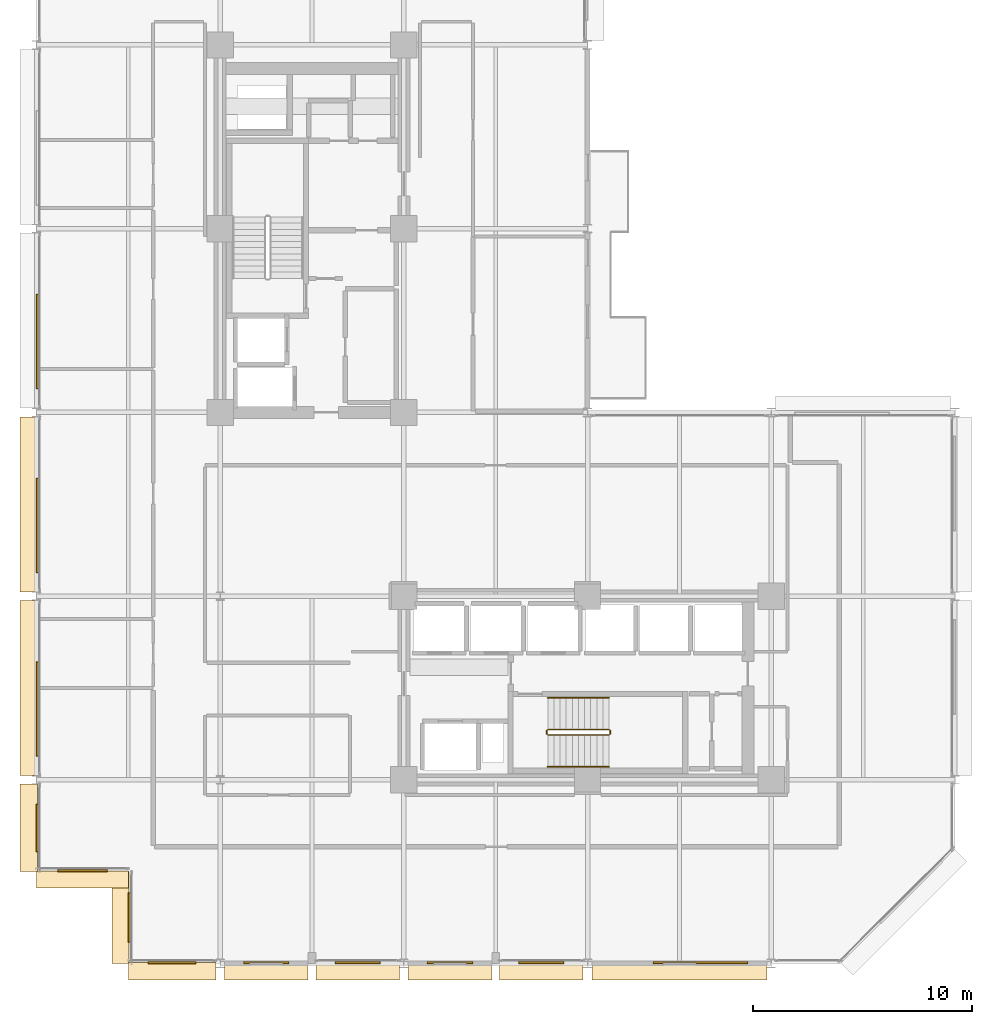
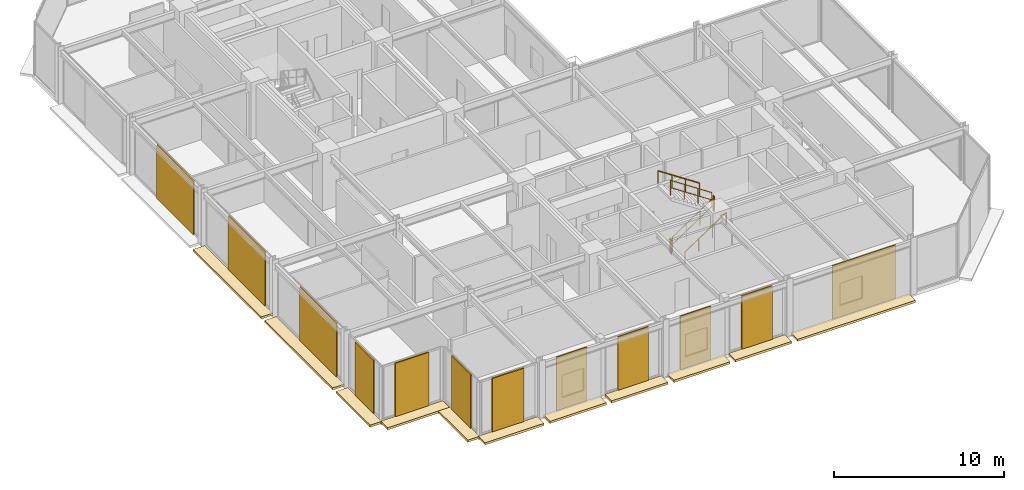
# One storey, part 27 of 30: 23 coverings, 6 railings.
"""IFC4 building model written with IfcOpenShell, lengths in metres."""

from ifc_helpers import new_model, si_unit, direction, frame, origin, origin_2d, place, context, subcontext, project, spatial, polyline, rectangle, circle, outline, extrude, material, layer, layer_set, type_object, element, save


model = new_model("IFC4")

# Units and contexts
model_context = context("Model", 3, precision=1e-05, world=origin(), true_north=direction((0.0, 1.0)))
body_context = subcontext(model_context, "Body", "Model", "MODEL_VIEW")
ifc_project = project(units=[si_unit("LENGTHUNIT", "METRE"), si_unit("AREAUNIT", "SQUARE_METRE"), si_unit("VOLUMEUNIT", "CUBIC_METRE"), si_unit("PLANEANGLEUNIT", "RADIAN"), si_unit("MASSUNIT", "GRAM", prefix="KILO")], contexts=[model_context])

# Site, building, storey
site_placement = place(None, origin())
site = spatial("IfcSite", under=ifc_project, at=site_placement, CompositionType="ELEMENT")
building_placement = place(site_placement, origin())
building = spatial("IfcBuilding", under=site, at=building_placement, Name="Nerrivon Quay Data Exchange", CompositionType="ELEMENT")
storey_placement = place(building_placement, frame((0.0, 0.0, 129.5)))
storey = spatial("IfcBuildingStorey", under=building, at=storey_placement, Name="L30", CompositionType="ELEMENT", Elevation=129.5)

# Coverings
ifc_material_1 = material(Name="Architectural terracotta ceramic", Category="masonry")
ifc_layer_1 = layer(ifc_material_1, 0.159912109375)
ifc_layer_set_1 = layer_set([ifc_layer_1], Name="Architectural terracotta ceramic")
covering_type_1 = type_object("IfcCoveringType", Name="COV-BLD-TERR", PredefinedType="CLADDING", material=ifc_layer_set_1)
covering_1_placement = place(storey_placement, frame((0.0, 0.0, -0.159912109375)))
element("IfcCovering", 1, at=covering_1_placement, inside=storey, type_object=covering_type_1, Name="L30 Horizontal Terracotta SOLAR SCREEN Blade", PredefinedType="CLADDING", context=body_context, shape_type="SweptSolid", body=[
    extrude(outline(polyline([(33.39990234375, 0.0400390625), (25.39990234375, 0.0400390625), (25.39990234375, -0.75), (33.39990234375, -0.75), (33.39990234375, 0.0400390625)])), origin(), (0.0, 0.0, 1.0), 0.159912109375),
])
covering_2_placement = place(storey_placement, frame((0.0, 0.0, -0.159912109375)))
element("IfcCovering", 2, at=covering_2_placement, inside=storey, type_object=covering_type_1, Name="L30 Horizontal Terracotta SOLAR SCREEN Blade", PredefinedType="CLADDING", context=body_context, shape_type="SweptSolid", body=[
    extrude(outline(polyline([(25.0, 0.0400390625), (21.175048828125, 0.0400390625), (21.175048828125, -0.75), (25.0, -0.75), (25.0, 0.0400390625)])), origin(), (0.0, 0.0, 1.0), 0.159912109375),
])
covering_3_placement = place(storey_placement, frame((0.0, 0.0, -0.159912109375)))
element("IfcCovering", 3, at=covering_3_placement, inside=storey, type_object=covering_type_1, Name="L30 Horizontal Terracotta SOLAR SCREEN Blade", PredefinedType="CLADDING", context=body_context, shape_type="SweptSolid", body=[
    extrude(outline(polyline([(20.824951171875, 0.0400390625), (17.0, 0.0400390625), (17.0, -0.75), (20.824951171875, -0.75), (20.824951171875, 0.0400390625)])), origin(), (0.0, 0.0, 1.0), 0.159912109375),
])
covering_4_placement = place(storey_placement, frame((0.0, 0.0, -0.159912109375)))
element("IfcCovering", 4, at=covering_4_placement, inside=storey, type_object=covering_type_1, Name="L30 Horizontal Terracotta SOLAR SCREEN Blade", PredefinedType="CLADDING", context=body_context, shape_type="SweptSolid", body=[
    extrude(outline(polyline([(16.60009765625, 0.0400390625), (12.77490234375, 0.0400390625), (12.77490234375, -0.75), (16.60009765625, -0.75), (16.60009765625, 0.0400390625)])), origin(), (0.0, 0.0, 1.0), 0.159912109375),
])
covering_5_placement = place(storey_placement, frame((0.0, 0.0, -0.159912109375)))
element("IfcCovering", 5, at=covering_5_placement, inside=storey, type_object=covering_type_1, Name="L30 Horizontal Terracotta SOLAR SCREEN Blade", PredefinedType="CLADDING", context=body_context, shape_type="SweptSolid", body=[
    extrude(outline(polyline([(12.425048828125, 0.0400390625), (8.60009765625, 0.0400390625), (8.60009765625, -0.75), (12.425048828125, -0.75), (12.425048828125, 0.0400390625)])), origin(), (0.0, 0.0, 1.0), 0.159912109375),
])
covering_6_placement = place(storey_placement, frame((0.0, 0.0, -0.159912109375)))
element("IfcCovering", 6, at=covering_6_placement, inside=storey, type_object=covering_type_1, Name="L30 Horizontal Terracotta SOLAR SCREEN Blade", PredefinedType="CLADDING", context=body_context, shape_type="SweptSolid", body=[
    extrude(outline(polyline([(8.199951171875, 0.0400390625), (4.199951171875, 0.0400390625), (4.199951171875, -0.75), (8.199951171875, -0.75), (8.199951171875, 0.0400390625)])), origin(), (0.0, 0.0, 1.0), 0.159912109375),
])
covering_7_placement = place(storey_placement, frame((0.0, 0.0, -0.159912109375)))
element("IfcCovering", 7, at=covering_7_placement, inside=storey, type_object=covering_type_1, Name="L30 Horizontal Terracotta SOLAR SCREEN Blade", PredefinedType="CLADDING", context=body_context, shape_type="SweptSolid", body=[
    extrude(outline(polyline([(4.239990234375, 0.0), (4.239990234375, 4.199951171875), (3.449951171875, 4.199951171875), (3.449951171875, 0.0), (4.239990234375, 0.0)])), origin(), (0.0, 0.0, 1.0), 0.159912109375),
])
covering_8_placement = place(storey_placement, frame((0.0, 0.0, -0.159912109375)))
element("IfcCovering", 8, at=covering_8_placement, inside=storey, type_object=covering_type_1, Name="L30 Horizontal Terracotta SOLAR SCREEN Blade", PredefinedType="CLADDING", context=body_context, shape_type="SweptSolid", body=[
    extrude(outline(polyline([(4.199951171875, 4.239990234375), (0.0, 4.239990234375), (0.0, 3.449951171875), (4.199951171875, 3.449951171875), (4.199951171875, 4.239990234375)])), origin(), (0.0, 0.0, 1.0), 0.159912109375),
])
covering_9_placement = place(storey_placement, frame((0.0, 0.0, -0.159912109375)))
element("IfcCovering", 9, at=covering_9_placement, inside=storey, type_object=covering_type_1, Name="L30 Horizontal Terracotta SOLAR SCREEN Blade", PredefinedType="CLADDING", context=body_context, shape_type="SweptSolid", body=[
    extrude(outline(polyline([(0.0400390625, 4.199951171875), (0.0400390625, 8.199951171875), (-0.75, 8.199951171875), (-0.75, 4.199951171875), (0.0400390625, 4.199951171875)])), origin(), (0.0, 0.0, 1.0), 0.159912109375),
])
covering_10_placement = place(storey_placement, frame((0.0, 0.0, -0.159912109375)))
element("IfcCovering", 10, at=covering_10_placement, inside=storey, type_object=covering_type_1, Name="L30 Horizontal Terracotta SOLAR SCREEN Blade", PredefinedType="CLADDING", context=body_context, shape_type="SweptSolid", body=[
    extrude(outline(polyline([(0.0400390625, 8.60009765625), (0.0400390625, 16.60009765625), (-0.75, 16.60009765625), (-0.75, 8.60009765625), (0.0400390625, 8.60009765625)])), origin(), (0.0, 0.0, 1.0), 0.159912109375),
])
covering_11_placement = place(storey_placement, frame((0.0, 0.0, -0.159912109375)))
element("IfcCovering", 11, at=covering_11_placement, inside=storey, type_object=covering_type_1, Name="L30 Horizontal Terracotta SOLAR SCREEN Blade", PredefinedType="CLADDING", context=body_context, shape_type="SweptSolid", body=[
    extrude(outline(polyline([(0.0400390625, 17.0), (0.0400390625, 25.0), (-0.75, 25.0), (-0.75, 17.0), (0.0400390625, 17.0)])), origin(), (0.0, 0.0, 1.0), 0.159912109375),
])
ifc_layer_2 = layer(ifc_material_1, 0.090087890625)
ifc_layer_set_2 = layer_set([ifc_layer_2], Name="Architectural terracotta ceramic")
covering_type_2 = type_object("IfcCoveringType", Name="COV-SCR-TERR", PredefinedType="CLADDING", material=ifc_layer_set_2)
covering_12_placement = place(storey_placement, frame((30.360107421875, 0.044921875, 0.0), z_axis=(0.0, 0.0, 1.0), x_axis=(-1.0, 0.0, 0.0)))
element("IfcCovering", 12, at=covering_12_placement, inside=storey, type_object=covering_type_2, Name="L30 Perforated Terracotta SOLAR SCREEN Cassette", PredefinedType="CLADDING", context=body_context, shape_type="SweptSolid", body=[
    extrude(rectangle(XDim=4.320068359375, YDim=0.090087890625, at=origin_2d()), origin(), (0.0, 0.0, 1.0), 3.824951171875),
])
for number, where, z_axis, x_axis, name in (
    (13, (23.08740234375, 0.044921875, 0.0), (0.0, 0.0, 1.0), (-1.0, 0.0, 0.0), "L30 Perforated Terracotta SOLAR SCREEN Cassette"),
    (14, (18.91259765625, 0.044921875, 0.0), (0.0, 0.0, 1.0), (-1.0, 0.0, 0.0), "L30 Perforated Terracotta SOLAR SCREEN Cassette"),
):
    element("IfcCovering", number, at=place(storey_placement, frame(where, z_axis=z_axis, x_axis=x_axis)), inside=storey, type_object=covering_type_2, Name=name, PredefinedType="CLADDING", context=body_context, shape_type="SweptSolid", body=[
        extrude(rectangle(XDim=2.06494140625, YDim=0.090087890625, at=origin_2d()), origin(), (0.0, 0.0, 1.0), 3.824951171875),
    ])
for number, where, z_axis, x_axis, name in (
    (15, (14.6875, 0.044921875, 0.0), (0.0, 0.0, 1.0), (-1.0, 0.0, 0.0), "L30 Perforated Terracotta SOLAR SCREEN Cassette"),
    (16, (10.512451171875, 0.044921875, 0.0), (0.0, 0.0, 1.0), (-1.0, 0.0, 0.0), "L30 Perforated Terracotta SOLAR SCREEN Cassette"),
):
    element("IfcCovering", number, at=place(storey_placement, frame(where, z_axis=z_axis, x_axis=x_axis)), inside=storey, type_object=covering_type_2, Name=name, PredefinedType="CLADDING", context=body_context, shape_type="SweptSolid", body=[
        extrude(rectangle(XDim=2.06591796875, YDim=0.090087890625, at=origin_2d()), origin(), (0.0, 0.0, 1.0), 3.824951171875),
    ])
covering_13_placement = place(storey_placement, frame((6.199951171875, 0.044921875, 0.0), z_axis=(0.0, 0.0, 1.0), x_axis=(-1.0, 0.0, 0.0)))
element("IfcCovering", 17, at=covering_13_placement, inside=storey, type_object=covering_type_2, Name="L30 Perforated Terracotta SOLAR SCREEN Cassette", PredefinedType="CLADDING", context=body_context, shape_type="SweptSolid", body=[
    extrude(rectangle(XDim=2.159912109375, YDim=0.090087890625, at=origin_2d()), origin(), (0.0, 0.0, 1.0), 3.824951171875),
])
for number, where, z_axis, x_axis, name in (
    (18, (4.2451171875, 2.10009765625, 0.0), (0.0, 0.0, 1.0), (0.0, 1.0, 0.0), "L30 Perforated Terracotta SOLAR SCREEN Cassette"),
    (19, (2.10009765625, 4.2451171875, 0.0), (0.0, 0.0, 1.0), (-1.0, 0.0, 0.0), "L30 Perforated Terracotta SOLAR SCREEN Cassette"),
):
    element("IfcCovering", number, at=place(storey_placement, frame(where, z_axis=z_axis, x_axis=x_axis)), inside=storey, type_object=covering_type_2, Name=name, PredefinedType="CLADDING", context=body_context, shape_type="SweptSolid", body=[
        extrude(rectangle(XDim=2.26806640625, YDim=0.090087890625, at=origin_2d()), origin(), (0.0, 0.0, 1.0), 3.824951171875),
    ])
covering_14_placement = place(storey_placement, frame((0.044921875, 6.199951171875, 0.0), z_axis=(0.0, 0.0, 1.0), x_axis=(0.0, 1.0, 0.0)))
element("IfcCovering", 20, at=covering_14_placement, inside=storey, type_object=covering_type_2, Name="L30 Perforated Terracotta SOLAR SCREEN Cassette", PredefinedType="CLADDING", context=body_context, shape_type="SweptSolid", body=[
    extrude(rectangle(XDim=2.159912109375, YDim=0.090087890625, at=origin_2d()), origin(), (0.0, 0.0, 1.0), 3.824951171875),
])
for number, where, z_axis, x_axis, name in (
    (21, (0.044921875, 11.639892578125, 0.0), (0.0, 0.0, 1.0), (0.0, 1.0, 0.0), "L30 Perforated Terracotta SOLAR SCREEN Cassette"),
    (22, (0.044921875, 20.0400390625, 0.0), (0.0, 0.0, 1.0), (0.0, 1.0, 0.0), "L30 Perforated Terracotta SOLAR SCREEN Cassette"),
    (23, (0.044921875, 28.43994140625, 0.0), (0.0, 0.0, 1.0), (0.0, 1.0, 0.0), "L30 Perforated Terracotta SOLAR SCREEN Cassette"),
):
    element("IfcCovering", number, at=place(storey_placement, frame(where, z_axis=z_axis, x_axis=x_axis)), inside=storey, type_object=covering_type_2, Name=name, PredefinedType="CLADDING", context=body_context, shape_type="SweptSolid", body=[
        extrude(rectangle(XDim=4.320068359375, YDim=0.090087890625, at=origin_2d()), origin(), (0.0, 0.0, 1.0), 3.824951171875),
    ])

# Railings
ifc_material_2 = material(Name="Steel Grade C350L0 (350 MPa)", Category="steel")
railing_type_1 = type_object("IfcRailingType", Name="RAIL-HAND-HR1", PredefinedType="HANDRAIL", material=ifc_material_2)
railing_1_placement = place(storey_placement, frame((23.3798828125, 9.0, 0.186279296875)))
element("IfcRailing", 24, at=railing_1_placement, inside=storey, type_object=railing_type_1, Name="L30 ST02 stair handrail 1", PredefinedType="HANDRAIL", context=body_context, shape_type="SweptSolid", body=[
    extrude(circle(Radius=0.02392578125, at=origin_2d()), frame((0.0, 0.0, 0.8759765625), z_axis=(0.832452072856, 0.0, 0.554097055034), x_axis=(0.0, 1.0, 0.0)), (0.0, 0.0, 1.0), 3.363525390625),
    extrude(circle(Radius=0.02099609375, at=origin_2d()), origin(), (0.0, 0.0, 1.0), 0.851806640625),
    extrude(circle(Radius=0.02099609375, at=origin_2d()), frame((0.933349609375, 0.0, 0.621337890625)), (0.0, 0.0, 1.0), 0.851806640625),
    extrude(circle(Radius=0.02099609375, at=origin_2d()), frame((1.86669921875, 0.0, 1.242431640625)), (0.0, 0.0, 1.0), 0.851806640625),
    extrude(circle(Radius=0.02099609375, at=origin_2d()), frame((2.800048828125, 0.0, 1.86376953125)), (0.0, 0.0, 1.0), 0.851806640625),
])
railing_2_placement = place(storey_placement, frame((26.179931640625, 12.14990234375, 2.236328125)))
element("IfcRailing", 25, at=railing_2_placement, inside=storey, type_object=railing_type_1, Name="L30 ST02 stair handrail 2", PredefinedType="HANDRAIL", context=body_context, shape_type="SweptSolid", body=[
    extrude(circle(Radius=0.02392578125, at=origin_2d()), frame((0.0, 0.0, 0.8759765625), z_axis=(-0.832452072856, 0.0, 0.554097055034), x_axis=(0.0, -1.0, 0.0)), (0.0, 0.0, 1.0), 3.363525390625),
    extrude(circle(Radius=0.02099609375, at=origin_2d()), origin(), (0.0, 0.0, 1.0), 0.851806640625),
    extrude(circle(Radius=0.02099609375, at=origin_2d()), frame((-0.933349609375, 0.0, 0.621337890625)), (0.0, 0.0, 1.0), 0.851806640625),
    extrude(circle(Radius=0.02099609375, at=origin_2d()), frame((-1.86669921875, 0.0, 1.242431640625)), (0.0, 0.0, 1.0), 0.851806640625),
    extrude(circle(Radius=0.02099609375, at=origin_2d()), frame((-2.800048828125, 0.0, 1.86376953125)), (0.0, 0.0, 1.0), 0.851806640625),
])
railing_type_2 = type_object("IfcRailingType", Name="RAIL-STAIR-GR1", PredefinedType="BALUSTRADE", material=ifc_material_2)
railing_3_placement = place(storey_placement, frame((23.3798828125, 10.449951171875, 0.186279296875)))
element("IfcRailing", 26, at=railing_3_placement, inside=storey, type_object=railing_type_2, Name="L30 ST02 stair guard 1", PredefinedType="BALUSTRADE", context=body_context, shape_type="SweptSolid", body=[
    extrude(circle(Radius=0.02392578125, at=origin_2d()), frame((0.0, 0.0, 1.076171875), z_axis=(0.832452072856, 0.0, 0.554097055034), x_axis=(0.0, 1.0, 0.0)), (0.0, 0.0, 1.0), 3.363525390625),
    extrude(circle(Radius=0.02392578125, at=origin_2d()), frame((0.0, 0.0, 0.550048828125), z_axis=(0.832452072856, 0.0, 0.554097055034), x_axis=(0.0, 1.0, 0.0)), (0.0, 0.0, 1.0), 3.363525390625),
    extrude(circle(Radius=0.02099609375, at=origin_2d()), origin(), (0.0, 0.0, 1.0), 1.052001953125),
    extrude(circle(Radius=0.02099609375, at=origin_2d()), frame((0.933349609375, 0.0, 0.621337890625)), (0.0, 0.0, 1.0), 1.052001953125),
    extrude(circle(Radius=0.02099609375, at=origin_2d()), frame((1.86669921875, 0.0, 1.242431640625)), (0.0, 0.0, 1.0), 1.052001953125),
    extrude(circle(Radius=0.02099609375, at=origin_2d()), frame((2.800048828125, 0.0, 1.86376953125)), (0.0, 0.0, 1.0), 1.052001953125),
])
railing_4_placement = place(storey_placement, frame((26.22998046875, 10.5, 2.050048828125)))
element("IfcRailing", 27, at=railing_4_placement, inside=storey, type_object=railing_type_2, Name="L30 ST02 stair guard 2", PredefinedType="BALUSTRADE", context=body_context, shape_type="SweptSolid", body=[
    extrude(circle(Radius=0.02392578125, at=origin_2d()), frame((0.0, 0.0, 1.076171875), z_axis=(0.0, 1.0, 0.0), x_axis=(-1.0, 0.0, 0.0)), (0.0, 0.0, 1.0), 0.14990234375),
    extrude(circle(Radius=0.02392578125, at=origin_2d()), frame((0.0, 0.0, 0.550048828125), z_axis=(0.0, 1.0, 0.0), x_axis=(-1.0, 0.0, 0.0)), (0.0, 0.0, 1.0), 0.14990234375),
    extrude(circle(Radius=0.02099609375, at=origin_2d()), origin(), (0.0, 0.0, 1.0), 1.052001953125),
    extrude(circle(Radius=0.02099609375, at=origin_2d()), frame((0.0, 0.14990234375, 0.0)), (0.0, 0.0, 1.0), 1.052001953125),
])
railing_5_placement = place(storey_placement, frame((26.179931640625, 10.699951171875, 2.236328125)))
element("IfcRailing", 28, at=railing_5_placement, inside=storey, type_object=railing_type_2, Name="L30 ST02 stair guard 3", PredefinedType="BALUSTRADE", context=body_context, shape_type="SweptSolid", body=[
    extrude(circle(Radius=0.02392578125, at=origin_2d()), frame((0.0, 0.0, 1.076171875), z_axis=(-0.832452072856, 0.0, 0.554097055034), x_axis=(0.0, -1.0, 0.0)), (0.0, 0.0, 1.0), 3.363525390625),
    extrude(circle(Radius=0.02392578125, at=origin_2d()), frame((0.0, 0.0, 0.550048828125), z_axis=(-0.832452072856, 0.0, 0.554097055034), x_axis=(0.0, -1.0, 0.0)), (0.0, 0.0, 1.0), 3.363525390625),
    extrude(circle(Radius=0.02099609375, at=origin_2d()), origin(), (0.0, 0.0, 1.0), 1.052001953125),
    extrude(circle(Radius=0.02099609375, at=origin_2d()), frame((-0.933349609375, 0.0, 0.621337890625)), (0.0, 0.0, 1.0), 1.052001953125),
    extrude(circle(Radius=0.02099609375, at=origin_2d()), frame((-1.86669921875, 0.0, 1.242431640625)), (0.0, 0.0, 1.0), 1.052001953125),
    extrude(circle(Radius=0.02099609375, at=origin_2d()), frame((-2.800048828125, 0.0, 1.86376953125)), (0.0, 0.0, 1.0), 1.052001953125),
])
railing_6_placement = place(storey_placement, frame((23.330078125, 10.5, 0.0)))
element("IfcRailing", 29, at=railing_6_placement, inside=storey, type_object=railing_type_2, Name="L30 ST02 stair guard 4", PredefinedType="BALUSTRADE", context=body_context, shape_type="SweptSolid", body=[
    extrude(circle(Radius=0.02392578125, at=origin_2d()), frame((0.0, 0.0, 1.076171875), z_axis=(0.0, 1.0, 0.0), x_axis=(-1.0, 0.0, 0.0)), (0.0, 0.0, 1.0), 0.14990234375),
    extrude(circle(Radius=0.02392578125, at=origin_2d()), frame((0.0, 0.0, 0.550048828125), z_axis=(0.0, 1.0, 0.0), x_axis=(-1.0, 0.0, 0.0)), (0.0, 0.0, 1.0), 0.14990234375),
    extrude(circle(Radius=0.02099609375, at=origin_2d()), origin(), (0.0, 0.0, 1.0), 1.052001953125),
    extrude(circle(Radius=0.02099609375, at=origin_2d()), frame((0.0, 0.14990234375, 0.0)), (0.0, 0.0, 1.0), 1.052001953125),
])

save(model, "model.ifc")
